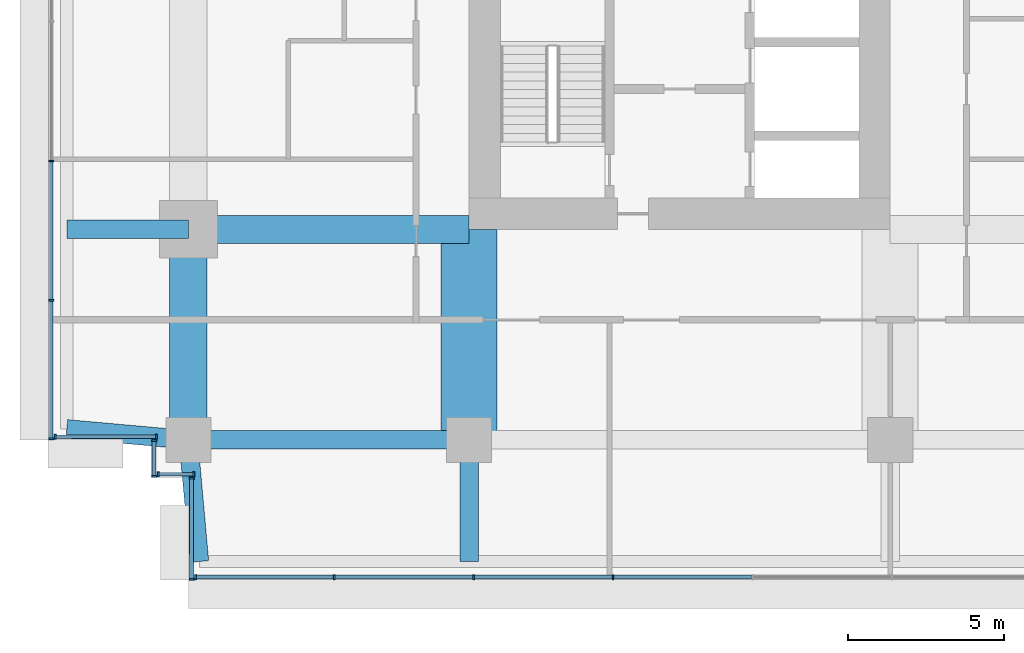
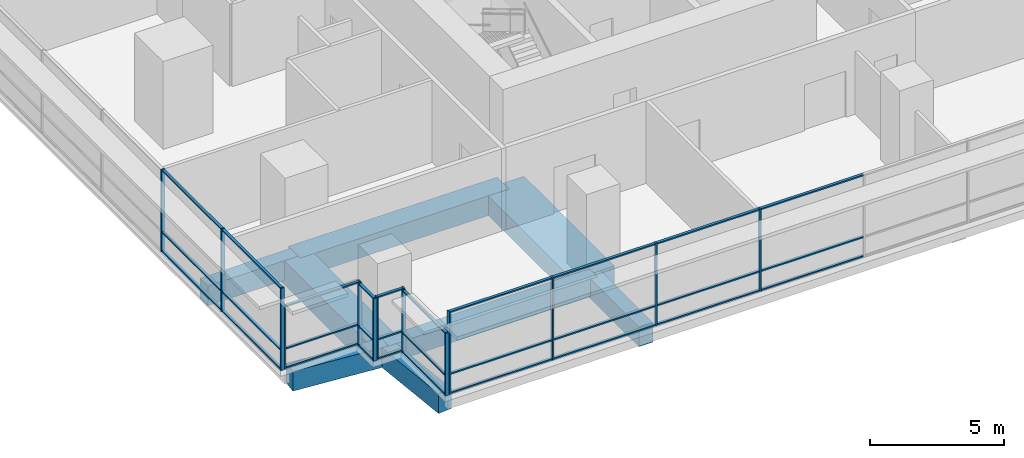
# One storey, part 2 of 14: 45 members, 8 beams, 6 elements without a shape of their own.
"""IFC4 building model written with IfcOpenShell, lengths in metres."""

from ifc_helpers import new_model, si_unit, direction, frame, origin, origin_2d, place, context, subcontext, project, spatial, rectangle, extrude, material, layer, layer_set, material_profile, profile_set, type_object, element, aggregate, save


model = new_model("IFC4")

# Units and contexts
model_context = context("Model", 3, precision=1e-05, world=origin(), true_north=direction((0.0, 1.0)))
body_context = subcontext(model_context, "Body", "Model", "MODEL_VIEW")
ifc_project = project(units=[si_unit("LENGTHUNIT", "METRE"), si_unit("AREAUNIT", "SQUARE_METRE"), si_unit("VOLUMEUNIT", "CUBIC_METRE"), si_unit("PLANEANGLEUNIT", "RADIAN"), si_unit("MASSUNIT", "GRAM", prefix="KILO")], contexts=[model_context])

# Site, building, storey
site_placement = place(None, origin())
site = spatial("IfcSite", under=ifc_project, at=site_placement, CompositionType="ELEMENT")
building_placement = place(site_placement, origin())
building = spatial("IfcBuilding", under=site, at=building_placement, Name="Namib Vertical Campus", CompositionType="ELEMENT")
storey_placement = place(building_placement, frame((0.0, 0.0, 269.0)))
storey = spatial("IfcBuildingStorey", under=building, at=storey_placement, Name="L63", CompositionType="ELEMENT", Elevation=269.0)

# Beams
ifc_material_1 = material(Name="Concrete C40/50", Category="concrete")
ifc_material_profile_1 = material_profile(ifc_material_1, rectangle(XDim=0.60009765625, YDim=0.89990234375, at=origin_2d()))
ifc_profile_set_1 = profile_set([ifc_material_profile_1], Name="Concrete C40/50")
beam_type_1 = type_object("IfcBeamType", Name="Cantilever girder RC 600x900", PredefinedType="BEAM", material=ifc_profile_set_1)
beam_1_placement = place(storey_placement, frame((4.5, 4.5, -0.699951171875), z_axis=(0.089411326146, -0.995994786511, 0.0), x_axis=(0.995994786511, 0.089411326146, 0.0)))
element("IfcBeam", 1, at=beam_1_placement, inside=storey, type_object=beam_type_1, Name="Beam B3 L63", PredefinedType="BEAM", context=body_context, shape_type="SweptSolid", body=[
    extrude(rectangle(XDim=0.60009765625, YDim=0.89990234375, at=origin_2d()), origin(), (0.0, 0.0, 1.0), 3.91552734375),
])
beam_2_placement = place(storey_placement, frame((13.5, 4.5, -0.699951171875), z_axis=(0.0, -1.0, 0.0), x_axis=(1.0, 0.0, 0.0)))
element("IfcBeam", 2, at=beam_2_placement, inside=storey, type_object=beam_type_1, Name="Beam B3 L63", PredefinedType="BEAM", context=body_context, shape_type="SweptSolid", body=[
    extrude(rectangle(XDim=0.60009765625, YDim=0.89990234375, at=origin_2d()), origin(), (0.0, 0.0, 1.0), 3.89990234375),
])
beam_3_placement = place(storey_placement, frame((4.5, 4.5, -0.699951171875), z_axis=(-0.995994786511, 0.089411326146, 0.0), x_axis=(-0.089411326146, -0.995994786511, 0.0)))
element("IfcBeam", 3, at=beam_3_placement, inside=storey, type_object=beam_type_1, Name="Beam B3 L63", PredefinedType="BEAM", context=body_context, shape_type="SweptSolid", body=[
    extrude(rectangle(XDim=0.60009765625, YDim=0.89990234375, at=origin_2d()), origin(), (0.0, 0.0, 1.0), 3.91552734375),
])
beam_4_placement = place(storey_placement, frame((4.5, 11.25, -0.699951171875), z_axis=(-1.0, 0.0, 0.0), x_axis=(0.0, -1.0, 0.0)))
element("IfcBeam", 4, at=beam_4_placement, inside=storey, type_object=beam_type_1, Name="Beam B3 L63", PredefinedType="BEAM", context=body_context, shape_type="SweptSolid", body=[
    extrude(rectangle(XDim=0.60009765625, YDim=0.89990234375, at=origin_2d()), origin(), (0.0, 0.0, 1.0), 3.89990234375),
])

# Curtain wall, members
ifc_material_2 = material(Name="Black aluminium curtain wall", Category="aluminium")
ifc_layer = layer(ifc_material_2, 0.199951171875)
ifc_layer_set = layer_set([ifc_layer], Name="Lounge bench curtain wall CW-LB")
curtain_wall_type = type_object("IfcCurtainWallType", Name="Lounge bench curtain wall CW-LB", PredefinedType="USERDEFINED", material=ifc_layer_set)
curtain_wall_1_placement = place(storey_placement, origin())
curtain_wall_1 = element("IfcCurtainWall", 5, at=curtain_wall_1_placement, inside=storey, type_object=curtain_wall_type, Name="Curtain wall CW-LB L63 F01-1", ObjectType="CURTAIN WALL", PredefinedType="USERDEFINED")
ifc_material_3 = material(Name="Black anodised aluminium", Category="aluminium")
ifc_material_profile_2 = material_profile(ifc_material_3, rectangle(XDim=0.06005859375, YDim=0.159912109375, at=origin_2d()))
ifc_profile_set_2 = profile_set([ifc_material_profile_2], Name="Black anodised aluminium")
member_type_1 = type_object("IfcMemberType", Name="Curtain wall mullion 60x160", PredefinedType="MULLION", material=ifc_profile_set_2)
member_1_placement = place(storey_placement, frame((4.72998046875, 0.10009765625, 0.0), z_axis=(0.0, 0.0, 1.0), x_axis=(1.0, 0.0, 0.0)))
member_1 = element("IfcMember", 6, at=member_1_placement, type_object=member_type_1, Name="CW-LB mullion 1", PredefinedType="MULLION", context=body_context, shape_type="SweptSolid", body=[
    extrude(rectangle(XDim=0.06005859375, YDim=0.159912109375, at=origin_2d()), origin(), (0.0, 0.0, 1.0), 3.75),
])
member_2_placement = place(storey_placement, frame((9.17138671875, 0.10009765625, 0.0), z_axis=(0.0, 0.0, 1.0), x_axis=(1.0, 0.0, 0.0)))
member_2 = element("IfcMember", 7, at=member_2_placement, type_object=member_type_1, Name="CW-LB mullion 2", PredefinedType="MULLION", context=body_context, shape_type="SweptSolid", body=[
    extrude(rectangle(XDim=0.06005859375, YDim=0.159912109375, at=origin_2d()), origin(), (0.0, 0.0, 1.0), 3.75),
])
member_3_placement = place(storey_placement, frame((13.642822265625, 0.10009765625, 0.0), z_axis=(0.0, 0.0, 1.0), x_axis=(1.0, 0.0, 0.0)))
member_3 = element("IfcMember", 8, at=member_3_placement, type_object=member_type_1, Name="CW-LB mullion 3", PredefinedType="MULLION", context=body_context, shape_type="SweptSolid", body=[
    extrude(rectangle(XDim=0.06005859375, YDim=0.159912109375, at=origin_2d()), origin(), (0.0, 0.0, 1.0), 3.75),
])
member_4_placement = place(storey_placement, frame((18.1142578125, 0.10009765625, 0.0), z_axis=(0.0, 0.0, 1.0), x_axis=(1.0, 0.0, 0.0)))
member_4 = element("IfcMember", 9, at=member_4_placement, type_object=member_type_1, Name="CW-LB mullion 4", PredefinedType="MULLION", context=body_context, shape_type="SweptSolid", body=[
    extrude(rectangle(XDim=0.06005859375, YDim=0.159912109375, at=origin_2d()), origin(), (0.0, 0.0, 1.0), 3.75),
])

curtain_wall_2_placement = place(storey_placement, origin())
curtain_wall_2 = element("IfcCurtainWall", 10, at=curtain_wall_2_placement, inside=storey, type_object=curtain_wall_type, Name="Curtain wall CW-LB L63 F16-1", ObjectType="CURTAIN WALL", PredefinedType="USERDEFINED")
member_5_placement = place(storey_placement, frame((0.10009765625, 13.44287109375, 0.0), z_axis=(0.0, 0.0, 1.0), x_axis=(0.0, -1.0, 0.0)))
member_5 = element("IfcMember", 11, at=member_5_placement, type_object=member_type_1, Name="CW-LB mullion 6", PredefinedType="MULLION", context=body_context, shape_type="SweptSolid", body=[
    extrude(rectangle(XDim=0.06005859375, YDim=0.159912109375, at=origin_2d()), origin(), (0.0, 0.0, 1.0), 3.75),
])
member_6_placement = place(storey_placement, frame((0.10009765625, 8.971435546875, 0.0), z_axis=(0.0, 0.0, 1.0), x_axis=(0.0, -1.0, 0.0)))
member_6 = element("IfcMember", 12, at=member_6_placement, type_object=member_type_1, Name="CW-LB mullion 7", PredefinedType="MULLION", context=body_context, shape_type="SweptSolid", body=[
    extrude(rectangle(XDim=0.06005859375, YDim=0.159912109375, at=origin_2d()), origin(), (0.0, 0.0, 1.0), 3.75),
])
member_7_placement = place(storey_placement, frame((0.10009765625, 4.530029296875, 0.0), z_axis=(0.0, 0.0, 1.0), x_axis=(0.0, -1.0, 0.0)))
member_7 = element("IfcMember", 13, at=member_7_placement, type_object=member_type_1, Name="CW-LB mullion 8", PredefinedType="MULLION", context=body_context, shape_type="SweptSolid", body=[
    extrude(rectangle(XDim=0.06005859375, YDim=0.159912109375, at=origin_2d()), origin(), (0.0, 0.0, 1.0), 3.75),
])

curtain_wall_3_placement = place(storey_placement, origin())
curtain_wall_3 = element("IfcCurtainWall", 14, at=curtain_wall_3_placement, inside=storey, type_object=curtain_wall_type, Name="Curtain wall CW-LB L63 F17-1", ObjectType="CURTAIN WALL", PredefinedType="USERDEFINED")
member_8_placement = place(storey_placement, frame((0.22998046875, 4.60009765625, 0.0), z_axis=(0.0, 0.0, 1.0), x_axis=(1.0, 0.0, 0.0)))
member_8 = element("IfcMember", 15, at=member_8_placement, type_object=member_type_1, Name="CW-LB mullion 1", PredefinedType="MULLION", context=body_context, shape_type="SweptSolid", body=[
    extrude(rectangle(XDim=0.06005859375, YDim=0.159912109375, at=origin_2d()), origin(), (0.0, 0.0, 1.0), 2.85009765625),
])
member_9_placement = place(storey_placement, frame((3.469970703125, 4.60009765625, 0.0), z_axis=(0.0, 0.0, 1.0), x_axis=(1.0, 0.0, 0.0)))
member_9 = element("IfcMember", 16, at=member_9_placement, type_object=member_type_1, Name="CW-LB mullion 2", PredefinedType="MULLION", context=body_context, shape_type="SweptSolid", body=[
    extrude(rectangle(XDim=0.06005859375, YDim=0.159912109375, at=origin_2d()), origin(), (0.0, 0.0, 1.0), 2.85009765625),
])

curtain_wall_4_placement = place(storey_placement, origin())
curtain_wall_4 = element("IfcCurtainWall", 17, at=curtain_wall_4_placement, inside=storey, type_object=curtain_wall_type, Name="Curtain wall CW-LB L63 F18-1", ObjectType="CURTAIN WALL", PredefinedType="USERDEFINED")
member_10_placement = place(storey_placement, frame((3.39990234375, 4.469970703125, 0.0), z_axis=(0.0, 0.0, 1.0), x_axis=(0.0, -1.0, 0.0)))
member_10 = element("IfcMember", 18, at=member_10_placement, type_object=member_type_1, Name="CW-LB mullion 1", PredefinedType="MULLION", context=body_context, shape_type="SweptSolid", body=[
    extrude(rectangle(XDim=0.06005859375, YDim=0.159912109375, at=origin_2d()), origin(), (0.0, 0.0, 1.0), 2.85009765625),
])
member_11_placement = place(storey_placement, frame((3.39990234375, 3.330078125, 0.0), z_axis=(0.0, 0.0, 1.0), x_axis=(0.0, -1.0, 0.0)))
member_11 = element("IfcMember", 19, at=member_11_placement, type_object=member_type_1, Name="CW-LB mullion 2", PredefinedType="MULLION", context=body_context, shape_type="SweptSolid", body=[
    extrude(rectangle(XDim=0.06005859375, YDim=0.159912109375, at=origin_2d()), origin(), (0.0, 0.0, 1.0), 2.85009765625),
])

curtain_wall_5_placement = place(storey_placement, origin())
curtain_wall_5 = element("IfcCurtainWall", 20, at=curtain_wall_5_placement, inside=storey, type_object=curtain_wall_type, Name="Curtain wall CW-LB L63 F19-1", ObjectType="CURTAIN WALL", PredefinedType="USERDEFINED")
member_12_placement = place(storey_placement, frame((3.530029296875, 3.39990234375, 0.0), z_axis=(0.0, 0.0, 1.0), x_axis=(1.0, 0.0, 0.0)))
member_12 = element("IfcMember", 21, at=member_12_placement, type_object=member_type_1, Name="CW-LB mullion 1", PredefinedType="MULLION", context=body_context, shape_type="SweptSolid", body=[
    extrude(rectangle(XDim=0.06005859375, YDim=0.159912109375, at=origin_2d()), origin(), (0.0, 0.0, 1.0), 2.85009765625),
])
member_13_placement = place(storey_placement, frame((4.669921875, 3.39990234375, 0.0), z_axis=(0.0, 0.0, 1.0), x_axis=(1.0, 0.0, 0.0)))
member_13 = element("IfcMember", 22, at=member_13_placement, type_object=member_type_1, Name="CW-LB mullion 2", PredefinedType="MULLION", context=body_context, shape_type="SweptSolid", body=[
    extrude(rectangle(XDim=0.06005859375, YDim=0.159912109375, at=origin_2d()), origin(), (0.0, 0.0, 1.0), 2.85009765625),
])

curtain_wall_6_placement = place(storey_placement, origin())
curtain_wall_6 = element("IfcCurtainWall", 23, at=curtain_wall_6_placement, inside=storey, type_object=curtain_wall_type, Name="Curtain wall CW-LB L63 F20-1", ObjectType="CURTAIN WALL", PredefinedType="USERDEFINED")
member_14_placement = place(storey_placement, frame((4.60009765625, 3.27001953125, 0.0), z_axis=(0.0, 0.0, 1.0), x_axis=(0.0, -1.0, 0.0)))
member_14 = element("IfcMember", 24, at=member_14_placement, type_object=member_type_1, Name="CW-LB mullion 1", PredefinedType="MULLION", context=body_context, shape_type="SweptSolid", body=[
    extrude(rectangle(XDim=0.06005859375, YDim=0.159912109375, at=origin_2d()), origin(), (0.0, 0.0, 1.0), 2.85009765625),
])
member_15_placement = place(storey_placement, frame((4.60009765625, 0.030029296875, 0.0), z_axis=(0.0, 0.0, 1.0), x_axis=(0.0, -1.0, 0.0)))
member_15 = element("IfcMember", 25, at=member_15_placement, type_object=member_type_1, Name="CW-LB mullion 2", PredefinedType="MULLION", context=body_context, shape_type="SweptSolid", body=[
    extrude(rectangle(XDim=0.06005859375, YDim=0.159912109375, at=origin_2d()), origin(), (0.0, 0.0, 1.0), 2.85009765625),
])

# Member
ifc_material_4 = material(Name="Black anodised aluminium", Category="aluminium")
ifc_material_profile_3 = material_profile(ifc_material_4, rectangle(XDim=0.06005859375, YDim=0.1201171875, at=origin_2d()))
ifc_profile_set_3 = profile_set([ifc_material_profile_3], Name="Black anodised aluminium")
member_type_2 = type_object("IfcMemberType", Name="Curtain wall transom 60x120", PredefinedType="USERDEFINED", material=ifc_profile_set_3)
member_16_placement = place(storey_placement, frame((4.760009765625, 0.10009765625, 0.030029296875), z_axis=(1.0, 0.0, 0.0), x_axis=(0.0, 0.0, 1.0)))
member_16 = element("IfcMember", 26, at=member_16_placement, type_object=member_type_2, Name="CW-LB transom 1.1", ObjectType="TRANSOM", PredefinedType="USERDEFINED", context=body_context, shape_type="SweptSolid", body=[
    extrude(rectangle(XDim=0.06005859375, YDim=0.1201171875, at=origin_2d()), origin(), (0.0, 0.0, 1.0), 4.38134765625),
])

member_17_placement = place(storey_placement, frame((4.760009765625, 0.10009765625, 0.89990234375), z_axis=(1.0, 0.0, 0.0), x_axis=(0.0, 0.0, 1.0)))
member_17 = element("IfcMember", 27, at=member_17_placement, type_object=member_type_2, Name="CW-LB transom 1.2", ObjectType="TRANSOM", PredefinedType="USERDEFINED", context=body_context, shape_type="SweptSolid", body=[
    extrude(rectangle(XDim=0.06005859375, YDim=0.1201171875, at=origin_2d()), origin(), (0.0, 0.0, 1.0), 4.38134765625),
])

member_18_placement = place(storey_placement, frame((4.760009765625, 0.10009765625, 3.719970703125), z_axis=(1.0, 0.0, 0.0), x_axis=(0.0, 0.0, 1.0)))
member_18 = element("IfcMember", 28, at=member_18_placement, type_object=member_type_2, Name="CW-LB transom 1.3", ObjectType="TRANSOM", PredefinedType="USERDEFINED", context=body_context, shape_type="SweptSolid", body=[
    extrude(rectangle(XDim=0.06005859375, YDim=0.1201171875, at=origin_2d()), origin(), (0.0, 0.0, 1.0), 4.38134765625),
])

member_19_placement = place(storey_placement, frame((9.201416015625, 0.10009765625, 0.030029296875), z_axis=(1.0, 0.0, 0.0), x_axis=(0.0, 0.0, 1.0)))
member_19 = element("IfcMember", 29, at=member_19_placement, type_object=member_type_2, Name="CW-LB transom 2.1", ObjectType="TRANSOM", PredefinedType="USERDEFINED", context=body_context, shape_type="SweptSolid", body=[
    extrude(rectangle(XDim=0.06005859375, YDim=0.1201171875, at=origin_2d()), origin(), (0.0, 0.0, 1.0), 4.411376953125),
])

member_20_placement = place(storey_placement, frame((9.201416015625, 0.10009765625, 0.89990234375), z_axis=(1.0, 0.0, 0.0), x_axis=(0.0, 0.0, 1.0)))
member_20 = element("IfcMember", 30, at=member_20_placement, type_object=member_type_2, Name="CW-LB transom 2.2", ObjectType="TRANSOM", PredefinedType="USERDEFINED", context=body_context, shape_type="SweptSolid", body=[
    extrude(rectangle(XDim=0.06005859375, YDim=0.1201171875, at=origin_2d()), origin(), (0.0, 0.0, 1.0), 4.411376953125),
])

member_21_placement = place(storey_placement, frame((9.201416015625, 0.10009765625, 3.719970703125), z_axis=(1.0, 0.0, 0.0), x_axis=(0.0, 0.0, 1.0)))
member_21 = element("IfcMember", 31, at=member_21_placement, type_object=member_type_2, Name="CW-LB transom 2.3", ObjectType="TRANSOM", PredefinedType="USERDEFINED", context=body_context, shape_type="SweptSolid", body=[
    extrude(rectangle(XDim=0.06005859375, YDim=0.1201171875, at=origin_2d()), origin(), (0.0, 0.0, 1.0), 4.411376953125),
])

member_22_placement = place(storey_placement, frame((13.6728515625, 0.10009765625, 0.030029296875), z_axis=(1.0, 0.0, 0.0), x_axis=(0.0, 0.0, 1.0)))
member_22 = element("IfcMember", 32, at=member_22_placement, type_object=member_type_2, Name="CW-LB transom 3.1", ObjectType="TRANSOM", PredefinedType="USERDEFINED", context=body_context, shape_type="SweptSolid", body=[
    extrude(rectangle(XDim=0.06005859375, YDim=0.1201171875, at=origin_2d()), origin(), (0.0, 0.0, 1.0), 4.411376953125),
])

member_23_placement = place(storey_placement, frame((13.6728515625, 0.10009765625, 0.89990234375), z_axis=(1.0, 0.0, 0.0), x_axis=(0.0, 0.0, 1.0)))
member_23 = element("IfcMember", 33, at=member_23_placement, type_object=member_type_2, Name="CW-LB transom 3.2", ObjectType="TRANSOM", PredefinedType="USERDEFINED", context=body_context, shape_type="SweptSolid", body=[
    extrude(rectangle(XDim=0.06005859375, YDim=0.1201171875, at=origin_2d()), origin(), (0.0, 0.0, 1.0), 4.411376953125),
])

member_24_placement = place(storey_placement, frame((13.6728515625, 0.10009765625, 3.719970703125), z_axis=(1.0, 0.0, 0.0), x_axis=(0.0, 0.0, 1.0)))
member_24 = element("IfcMember", 34, at=member_24_placement, type_object=member_type_2, Name="CW-LB transom 3.3", ObjectType="TRANSOM", PredefinedType="USERDEFINED", context=body_context, shape_type="SweptSolid", body=[
    extrude(rectangle(XDim=0.06005859375, YDim=0.1201171875, at=origin_2d()), origin(), (0.0, 0.0, 1.0), 4.411376953125),
])

member_25_placement = place(storey_placement, frame((18.144287109375, 0.10009765625, 0.030029296875), z_axis=(1.0, 0.0, 0.0), x_axis=(0.0, 0.0, 1.0)))
member_25 = element("IfcMember", 35, at=member_25_placement, type_object=member_type_2, Name="CW-LB transom 4.1", ObjectType="TRANSOM", PredefinedType="USERDEFINED", context=body_context, shape_type="SweptSolid", body=[
    extrude(rectangle(XDim=0.06005859375, YDim=0.1201171875, at=origin_2d()), origin(), (0.0, 0.0, 1.0), 4.411376953125),
])

member_26_placement = place(storey_placement, frame((18.144287109375, 0.10009765625, 0.89990234375), z_axis=(1.0, 0.0, 0.0), x_axis=(0.0, 0.0, 1.0)))
member_26 = element("IfcMember", 36, at=member_26_placement, type_object=member_type_2, Name="CW-LB transom 4.2", ObjectType="TRANSOM", PredefinedType="USERDEFINED", context=body_context, shape_type="SweptSolid", body=[
    extrude(rectangle(XDim=0.06005859375, YDim=0.1201171875, at=origin_2d()), origin(), (0.0, 0.0, 1.0), 4.411376953125),
])

member_27_placement = place(storey_placement, frame((18.144287109375, 0.10009765625, 3.719970703125), z_axis=(1.0, 0.0, 0.0), x_axis=(0.0, 0.0, 1.0)))
member_27 = element("IfcMember", 37, at=member_27_placement, type_object=member_type_2, Name="CW-LB transom 4.3", ObjectType="TRANSOM", PredefinedType="USERDEFINED", context=body_context, shape_type="SweptSolid", body=[
    extrude(rectangle(XDim=0.06005859375, YDim=0.1201171875, at=origin_2d()), origin(), (0.0, 0.0, 1.0), 4.411376953125),
])

aggregate(curtain_wall_1, [member_1, member_2, member_3, member_4, member_16, member_17, member_18, member_19, member_20, member_21, member_22, member_23, member_24, member_25, member_26, member_27])

member_28_placement = place(storey_placement, frame((0.10009765625, 13.412841796875, 0.030029296875), z_axis=(0.0, -1.0, 0.0), x_axis=(0.0, 0.0, 1.0)))
member_28 = element("IfcMember", 38, at=member_28_placement, type_object=member_type_2, Name="CW-LB transom 6.1", ObjectType="TRANSOM", PredefinedType="USERDEFINED", context=body_context, shape_type="SweptSolid", body=[
    extrude(rectangle(XDim=0.06005859375, YDim=0.1201171875, at=origin_2d()), origin(), (0.0, 0.0, 1.0), 4.411376953125),
])

member_29_placement = place(storey_placement, frame((0.10009765625, 13.412841796875, 0.89990234375), z_axis=(0.0, -1.0, 0.0), x_axis=(0.0, 0.0, 1.0)))
member_29 = element("IfcMember", 39, at=member_29_placement, type_object=member_type_2, Name="CW-LB transom 6.2", ObjectType="TRANSOM", PredefinedType="USERDEFINED", context=body_context, shape_type="SweptSolid", body=[
    extrude(rectangle(XDim=0.06005859375, YDim=0.1201171875, at=origin_2d()), origin(), (0.0, 0.0, 1.0), 4.411376953125),
])

member_30_placement = place(storey_placement, frame((0.10009765625, 13.412841796875, 3.719970703125), z_axis=(0.0, -1.0, 0.0), x_axis=(0.0, 0.0, 1.0)))
member_30 = element("IfcMember", 40, at=member_30_placement, type_object=member_type_2, Name="CW-LB transom 6.3", ObjectType="TRANSOM", PredefinedType="USERDEFINED", context=body_context, shape_type="SweptSolid", body=[
    extrude(rectangle(XDim=0.06005859375, YDim=0.1201171875, at=origin_2d()), origin(), (0.0, 0.0, 1.0), 4.411376953125),
])

member_31_placement = place(storey_placement, frame((0.10009765625, 8.94140625, 0.030029296875), z_axis=(0.0, -1.0, 0.0), x_axis=(0.0, 0.0, 1.0)))
member_31 = element("IfcMember", 41, at=member_31_placement, type_object=member_type_2, Name="CW-LB transom 7.1", ObjectType="TRANSOM", PredefinedType="USERDEFINED", context=body_context, shape_type="SweptSolid", body=[
    extrude(rectangle(XDim=0.06005859375, YDim=0.1201171875, at=origin_2d()), origin(), (0.0, 0.0, 1.0), 4.38134765625),
])

member_32_placement = place(storey_placement, frame((0.10009765625, 8.94140625, 0.89990234375), z_axis=(0.0, -1.0, 0.0), x_axis=(0.0, 0.0, 1.0)))
member_32 = element("IfcMember", 42, at=member_32_placement, type_object=member_type_2, Name="CW-LB transom 7.2", ObjectType="TRANSOM", PredefinedType="USERDEFINED", context=body_context, shape_type="SweptSolid", body=[
    extrude(rectangle(XDim=0.06005859375, YDim=0.1201171875, at=origin_2d()), origin(), (0.0, 0.0, 1.0), 4.38134765625),
])

member_33_placement = place(storey_placement, frame((0.10009765625, 8.94140625, 3.719970703125), z_axis=(0.0, -1.0, 0.0), x_axis=(0.0, 0.0, 1.0)))
member_33 = element("IfcMember", 43, at=member_33_placement, type_object=member_type_2, Name="CW-LB transom 7.3", ObjectType="TRANSOM", PredefinedType="USERDEFINED", context=body_context, shape_type="SweptSolid", body=[
    extrude(rectangle(XDim=0.06005859375, YDim=0.1201171875, at=origin_2d()), origin(), (0.0, 0.0, 1.0), 4.38134765625),
])

aggregate(curtain_wall_2, [member_5, member_6, member_7, member_28, member_29, member_30, member_31, member_32, member_33])

member_34_placement = place(storey_placement, frame((0.260009765625, 4.60009765625, 0.030029296875), z_axis=(1.0, 0.0, 0.0), x_axis=(0.0, 0.0, 1.0)))
member_34 = element("IfcMember", 44, at=member_34_placement, type_object=member_type_2, Name="CW-LB transom 1.1", ObjectType="TRANSOM", PredefinedType="USERDEFINED", context=body_context, shape_type="SweptSolid", body=[
    extrude(rectangle(XDim=0.06005859375, YDim=0.1201171875, at=origin_2d()), origin(), (0.0, 0.0, 1.0), 3.179931640625),
])

member_35_placement = place(storey_placement, frame((0.260009765625, 4.60009765625, 0.89990234375), z_axis=(1.0, 0.0, 0.0), x_axis=(0.0, 0.0, 1.0)))
member_35 = element("IfcMember", 45, at=member_35_placement, type_object=member_type_2, Name="CW-LB transom 1.2", ObjectType="TRANSOM", PredefinedType="USERDEFINED", context=body_context, shape_type="SweptSolid", body=[
    extrude(rectangle(XDim=0.06005859375, YDim=0.1201171875, at=origin_2d()), origin(), (0.0, 0.0, 1.0), 3.179931640625),
])

member_36_placement = place(storey_placement, frame((0.260009765625, 4.60009765625, 2.820068359375), z_axis=(1.0, 0.0, 0.0), x_axis=(0.0, 0.0, 1.0)))
member_36 = element("IfcMember", 46, at=member_36_placement, type_object=member_type_2, Name="CW-LB transom 1.3", ObjectType="TRANSOM", PredefinedType="USERDEFINED", context=body_context, shape_type="SweptSolid", body=[
    extrude(rectangle(XDim=0.06005859375, YDim=0.1201171875, at=origin_2d()), origin(), (0.0, 0.0, 1.0), 3.179931640625),
])

aggregate(curtain_wall_3, [member_8, member_9, member_34, member_35, member_36])

member_37_placement = place(storey_placement, frame((3.39990234375, 4.43994140625, 0.030029296875), z_axis=(0.0, -1.0, 0.0), x_axis=(0.0, 0.0, 1.0)))
member_37 = element("IfcMember", 47, at=member_37_placement, type_object=member_type_2, Name="CW-LB transom 1.1", ObjectType="TRANSOM", PredefinedType="USERDEFINED", context=body_context, shape_type="SweptSolid", body=[
    extrude(rectangle(XDim=0.06005859375, YDim=0.1201171875, at=origin_2d()), origin(), (0.0, 0.0, 1.0), 1.079833984375),
])

member_38_placement = place(storey_placement, frame((3.39990234375, 4.43994140625, 0.89990234375), z_axis=(0.0, -1.0, 0.0), x_axis=(0.0, 0.0, 1.0)))
member_38 = element("IfcMember", 48, at=member_38_placement, type_object=member_type_2, Name="CW-LB transom 1.2", ObjectType="TRANSOM", PredefinedType="USERDEFINED", context=body_context, shape_type="SweptSolid", body=[
    extrude(rectangle(XDim=0.06005859375, YDim=0.1201171875, at=origin_2d()), origin(), (0.0, 0.0, 1.0), 1.079833984375),
])

member_39_placement = place(storey_placement, frame((3.39990234375, 4.43994140625, 2.820068359375), z_axis=(0.0, -1.0, 0.0), x_axis=(0.0, 0.0, 1.0)))
member_39 = element("IfcMember", 49, at=member_39_placement, type_object=member_type_2, Name="CW-LB transom 1.3", ObjectType="TRANSOM", PredefinedType="USERDEFINED", context=body_context, shape_type="SweptSolid", body=[
    extrude(rectangle(XDim=0.06005859375, YDim=0.1201171875, at=origin_2d()), origin(), (0.0, 0.0, 1.0), 1.079833984375),
])

aggregate(curtain_wall_4, [member_10, member_11, member_37, member_38, member_39])

member_40_placement = place(storey_placement, frame((3.56005859375, 3.39990234375, 0.030029296875), z_axis=(1.0, 0.0, 0.0), x_axis=(0.0, 0.0, 1.0)))
member_40 = element("IfcMember", 50, at=member_40_placement, type_object=member_type_2, Name="CW-LB transom 1.1", ObjectType="TRANSOM", PredefinedType="USERDEFINED", context=body_context, shape_type="SweptSolid", body=[
    extrude(rectangle(XDim=0.06005859375, YDim=0.1201171875, at=origin_2d()), origin(), (0.0, 0.0, 1.0), 1.079833984375),
])

member_41_placement = place(storey_placement, frame((3.56005859375, 3.39990234375, 0.89990234375), z_axis=(1.0, 0.0, 0.0), x_axis=(0.0, 0.0, 1.0)))
member_41 = element("IfcMember", 51, at=member_41_placement, type_object=member_type_2, Name="CW-LB transom 1.2", ObjectType="TRANSOM", PredefinedType="USERDEFINED", context=body_context, shape_type="SweptSolid", body=[
    extrude(rectangle(XDim=0.06005859375, YDim=0.1201171875, at=origin_2d()), origin(), (0.0, 0.0, 1.0), 1.079833984375),
])

member_42_placement = place(storey_placement, frame((3.56005859375, 3.39990234375, 2.820068359375), z_axis=(1.0, 0.0, 0.0), x_axis=(0.0, 0.0, 1.0)))
member_42 = element("IfcMember", 52, at=member_42_placement, type_object=member_type_2, Name="CW-LB transom 1.3", ObjectType="TRANSOM", PredefinedType="USERDEFINED", context=body_context, shape_type="SweptSolid", body=[
    extrude(rectangle(XDim=0.06005859375, YDim=0.1201171875, at=origin_2d()), origin(), (0.0, 0.0, 1.0), 1.079833984375),
])

aggregate(curtain_wall_5, [member_12, member_13, member_40, member_41, member_42])

member_43_placement = place(storey_placement, frame((4.60009765625, 3.239990234375, 0.030029296875), z_axis=(0.0, -1.0, 0.0), x_axis=(0.0, 0.0, 1.0)))
member_43 = element("IfcMember", 53, at=member_43_placement, type_object=member_type_2, Name="CW-LB transom 1.1", ObjectType="TRANSOM", PredefinedType="USERDEFINED", context=body_context, shape_type="SweptSolid", body=[
    extrude(rectangle(XDim=0.06005859375, YDim=0.1201171875, at=origin_2d()), origin(), (0.0, 0.0, 1.0), 3.179931640625),
])

member_44_placement = place(storey_placement, frame((4.60009765625, 3.239990234375, 0.89990234375), z_axis=(0.0, -1.0, 0.0), x_axis=(0.0, 0.0, 1.0)))
member_44 = element("IfcMember", 54, at=member_44_placement, type_object=member_type_2, Name="CW-LB transom 1.2", ObjectType="TRANSOM", PredefinedType="USERDEFINED", context=body_context, shape_type="SweptSolid", body=[
    extrude(rectangle(XDim=0.06005859375, YDim=0.1201171875, at=origin_2d()), origin(), (0.0, 0.0, 1.0), 3.179931640625),
])

member_45_placement = place(storey_placement, frame((4.60009765625, 3.239990234375, 2.820068359375), z_axis=(0.0, -1.0, 0.0), x_axis=(0.0, 0.0, 1.0)))
member_45 = element("IfcMember", 55, at=member_45_placement, type_object=member_type_2, Name="CW-LB transom 1.3", ObjectType="TRANSOM", PredefinedType="USERDEFINED", context=body_context, shape_type="SweptSolid", body=[
    extrude(rectangle(XDim=0.06005859375, YDim=0.1201171875, at=origin_2d()), origin(), (0.0, 0.0, 1.0), 3.179931640625),
])

aggregate(curtain_wall_6, [member_14, member_15, member_43, member_44, member_45])

# Beams
ifc_material_5 = material(Name="Concrete C40/50", Category="concrete")
ifc_material_profile_4 = material_profile(ifc_material_5, rectangle(XDim=0.89990234375, YDim=0.89990234375, at=origin_2d()))
ifc_profile_set_4 = profile_set([ifc_material_profile_4], Name="Concrete C40/50")
beam_type_2 = type_object("IfcBeamType", Name="Face girder RC 900x900", PredefinedType="BEAM", material=ifc_profile_set_4)
beam_5_placement = place(storey_placement, frame((4.5, 11.25, -0.699951171875), z_axis=(1.0, 0.0, 0.0), x_axis=(0.0, 1.0, 0.0)))
element("IfcBeam", 56, at=beam_5_placement, inside=storey, type_object=beam_type_2, Name="Beam B10 L63", PredefinedType="BEAM", context=body_context, shape_type="SweptSolid", body=[
    extrude(rectangle(XDim=0.89990234375, YDim=0.89990234375, at=origin_2d()), origin(), (0.0, 0.0, 1.0), 9.0),
])
ifc_material_6 = material(Name="Concrete C40/50", Category="concrete")
ifc_material_profile_5 = material_profile(ifc_material_6, rectangle(XDim=1.199951171875, YDim=1.10009765625, at=origin_2d()))
ifc_profile_set_5 = profile_set([ifc_material_profile_5], Name="Concrete C40/50")
beam_type_3 = type_object("IfcBeamType", Name="Face ring beam RC 1200x1100", PredefinedType="BEAM", material=ifc_profile_set_5)
beam_6_placement = place(storey_placement, frame((4.5, 4.5, -0.800048828125), z_axis=(0.0, 1.0, 0.0), x_axis=(-1.0, 0.0, 0.0)))
element("IfcBeam", 57, at=beam_6_placement, inside=storey, type_object=beam_type_3, Name="Beam B11 L63", PredefinedType="BEAM", context=body_context, shape_type="SweptSolid", body=[
    extrude(rectangle(XDim=1.199951171875, YDim=1.10009765625, at=origin_2d()), origin(), (0.0, 0.0, 1.0), 6.75),
])
ifc_material_7 = material(Name="Concrete C40/50", Category="concrete")
ifc_material_profile_6 = material_profile(ifc_material_7, rectangle(XDim=1.800048828125, YDim=0.89990234375, at=origin_2d()))
ifc_profile_set_6 = profile_set([ifc_material_profile_6], Name="Concrete C40/50")
beam_type_4 = type_object("IfcBeamType", Name="Outrigger line girder RC 1800x900", PredefinedType="BEAM", material=ifc_profile_set_6)
beam_7_placement = place(storey_placement, frame((13.5, 4.5, -0.699951171875), z_axis=(0.0, 1.0, 0.0), x_axis=(-1.0, 0.0, 0.0)))
element("IfcBeam", 58, at=beam_7_placement, inside=storey, type_object=beam_type_4, Name="Beam B12 L63", PredefinedType="BEAM", context=body_context, shape_type="SweptSolid", body=[
    extrude(rectangle(XDim=1.800048828125, YDim=0.89990234375, at=origin_2d()), origin(), (0.0, 0.0, 1.0), 6.75),
])
ifc_material_8 = material(Name="Concrete C40/50", Category="concrete")
ifc_material_profile_7 = material_profile(ifc_material_8, rectangle(XDim=0.60009765625, YDim=0.800048828125, at=origin_2d()))
ifc_profile_set_7 = profile_set([ifc_material_profile_7], Name="Concrete C40/50")
beam_type_5 = type_object("IfcBeamType", Name="Ring beam RC 600x800", PredefinedType="BEAM", material=ifc_profile_set_7)
beam_8_placement = place(storey_placement, frame((4.5, 4.5, -0.64990234375), z_axis=(1.0, 0.0, 0.0), x_axis=(0.0, 1.0, 0.0)))
element("IfcBeam", 59, at=beam_8_placement, inside=storey, type_object=beam_type_5, Name="Beam B1 L63", PredefinedType="BEAM", context=body_context, shape_type="SweptSolid", body=[
    extrude(rectangle(XDim=0.60009765625, YDim=0.800048828125, at=origin_2d()), origin(), (0.0, 0.0, 1.0), 9.0),
])

save(model, "model.ifc")
